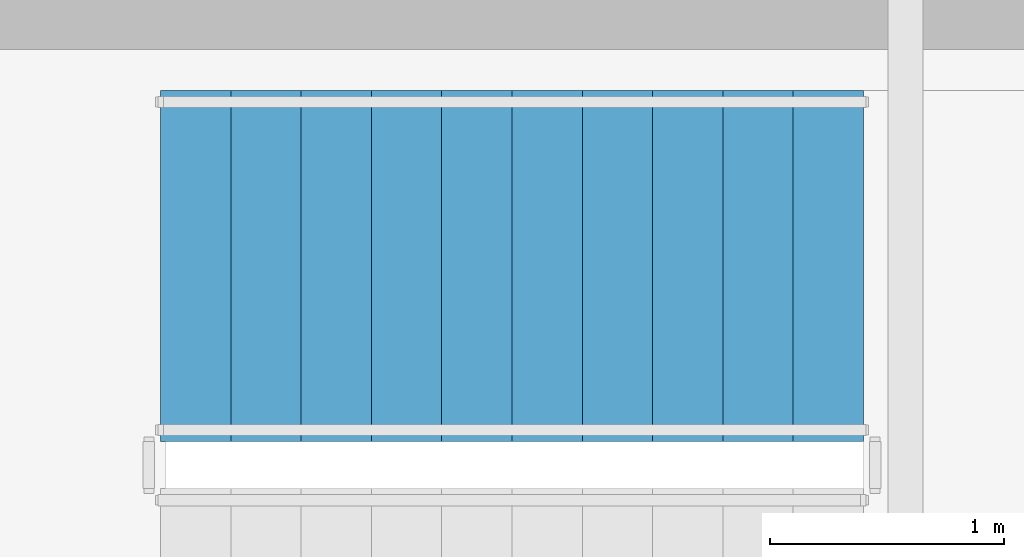
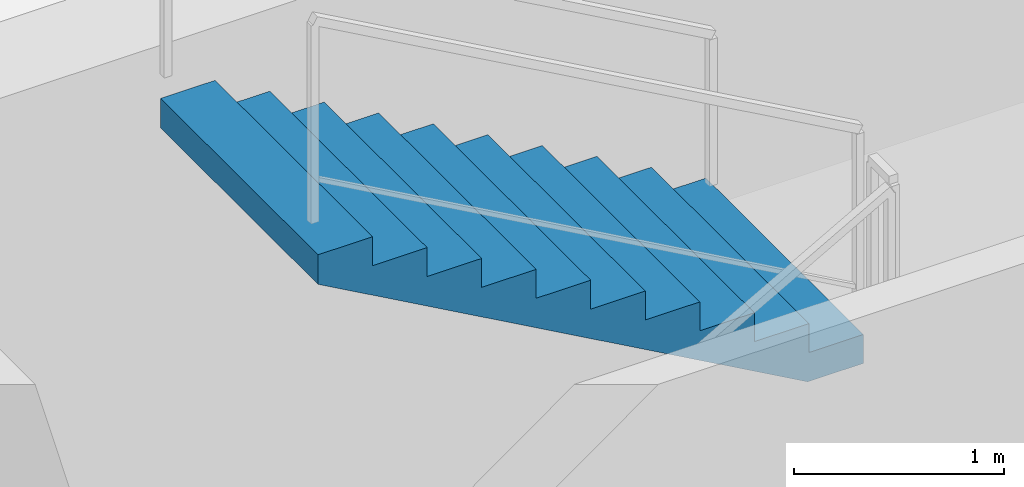
# One storey, part 8 of 10: 1 stair flight, 1 element without a shape of its own.
"""IFC4 building model written with IfcOpenShell, lengths in metres."""

from ifc_helpers import new_model, si_unit, direction, frame, origin, place, context, subcontext, project, spatial, polyline, outline, extrude, material, type_object, element, aggregate, save


model = new_model("IFC4")

# Units and contexts
model_context = context("Model", 3, precision=1e-05, world=origin(), true_north=direction((0.0, 1.0)))
body_context = subcontext(model_context, "Body", "Model", "MODEL_VIEW")
ifc_project = project(units=[si_unit("LENGTHUNIT", "METRE"), si_unit("AREAUNIT", "SQUARE_METRE"), si_unit("VOLUMEUNIT", "CUBIC_METRE"), si_unit("PLANEANGLEUNIT", "RADIAN"), si_unit("MASSUNIT", "GRAM", prefix="KILO")], contexts=[model_context])

# Site, building, storey
site_placement = place(None, origin())
site = spatial("IfcSite", under=ifc_project, at=site_placement, CompositionType="ELEMENT")
building_placement = place(site_placement, origin())
building = spatial("IfcBuilding", under=site, at=building_placement, Name="Svetorya Sky Lyceum", CompositionType="ELEMENT")
storey_placement = place(building_placement, frame((0.0, 0.0, 132.699951171875)))
storey = spatial("IfcBuildingStorey", under=building, at=storey_placement, Name="L33", CompositionType="ELEMENT", Elevation=132.699951171875)

# Stair, stair flight
ifc_material = material(Name="Concrete C40/50", Category="concrete")
stair_type = type_object("IfcStairType", Name="STR-ST-N", PredefinedType="HALF_TURN_STAIR", material=ifc_material)
stair_placement = place(storey_placement, origin())
stair = element("IfcStair", 1, at=stair_placement, inside=storey, type_object=stair_type, Name="L33 North Core Smoke-Free Exit Stair N3", PredefinedType="HALF_TURN_STAIR")
stair_flight_type = type_object("IfcStairFlightType", Name="SFL-ST-N", PredefinedType="STRAIGHT", material=ifc_material)
stair_flight_placement = place(storey_placement, frame((30.699951171875, 44.60009765625, 1.85009765625), z_axis=(0.0, 0.0, 1.0), x_axis=(-1.0, 0.0, 0.0)))
stair_flight = element("IfcStairFlight", 2, at=stair_flight_placement, type_object=stair_flight_type, Name="ST-N flight 2", NumberOfRisers=11, NumberOfTreads=10, PredefinedType="STRAIGHT", RiserHeight=0.168181818, TreadLength=0.3, context=body_context, shape_type="SweptSolid", body=[
    extrude(outline(polyline([(0.0, 0.0), (0.0, 0.168212890625), (0.300048828125, 0.168212890625), (0.300048828125, 0.33642578125), (0.60009765625, 0.33642578125), (0.60009765625, 0.504638671875), (0.89990234375, 0.504638671875), (0.89990234375, 0.672607421875), (1.199951171875, 0.672607421875), (1.199951171875, 0.8408203125), (1.5, 0.8408203125), (1.5, 1.009033203125), (1.800048828125, 1.009033203125), (1.800048828125, 1.17724609375), (2.10009765625, 1.17724609375), (2.10009765625, 1.345458984375), (2.39990234375, 1.345458984375), (2.39990234375, 1.513671875), (2.699951171875, 1.513671875), (2.699951171875, 1.681884765625), (3.0, 1.681884765625), (3.0, 1.85009765625), (3.0, 1.510009765625), (0.306640625, 0.0), (0.0, 0.0)])), frame((0.0, 0.75, 0.0), z_axis=(0.0, -1.0, 0.0), x_axis=(1.0, 0.0, 0.0)), (0.0, 0.0, 1.0), 1.5),
])
aggregate(stair, [stair_flight])

save(model, "model.ifc")
